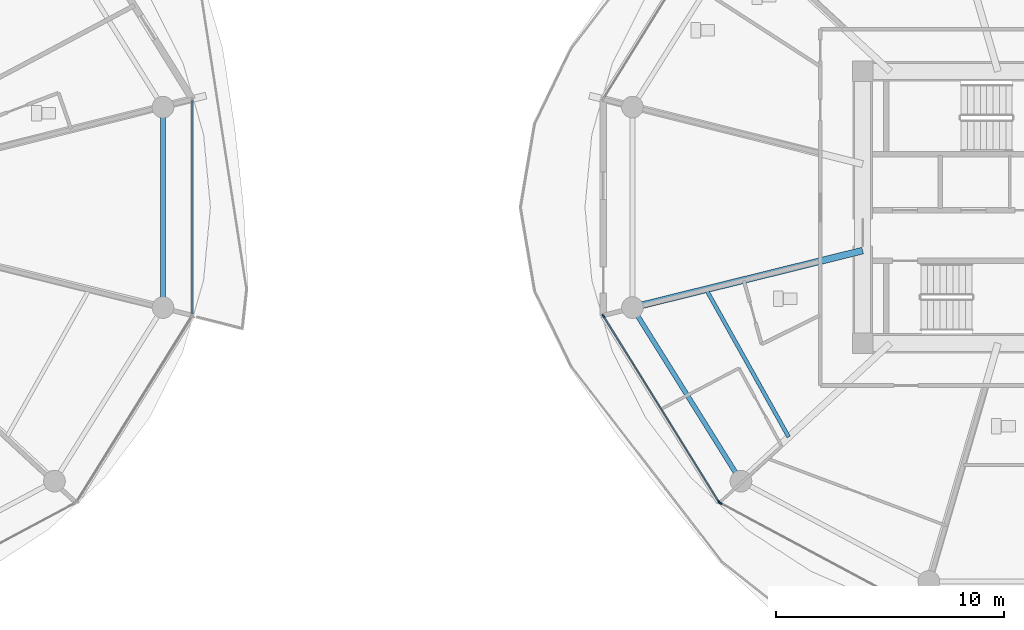
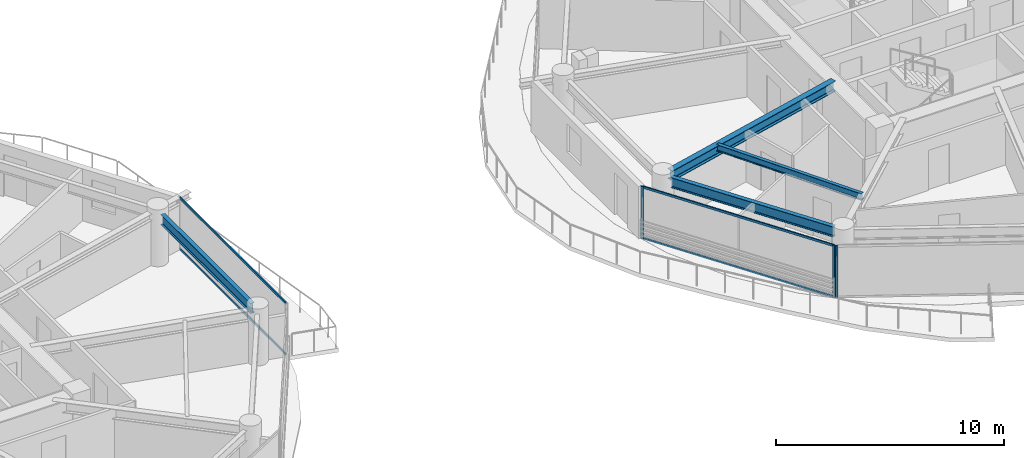
# One storey, part 6 of 26: 7 members, 4 beams, 3 elements without a shape of their own.
"""IFC4 building model written with IfcOpenShell, lengths in metres."""

from ifc_helpers import new_model, si_unit, direction, frame, origin, origin_2d, place, context, subcontext, project, spatial, rectangle, i_section, extrude, source, transform, mapped, material, layer, layer_set, material_profile, profile_set, type_object, type_shapes, element, aggregate, save


model = new_model("IFC4")

# Units and contexts
model_context = context("Model", 3, precision=1e-05, world=origin(), true_north=direction((0.0, 1.0)))
body_context = subcontext(model_context, "Body", "Model", "MODEL_VIEW")
ifc_project = project(units=[si_unit("LENGTHUNIT", "METRE"), si_unit("AREAUNIT", "SQUARE_METRE"), si_unit("VOLUMEUNIT", "CUBIC_METRE"), si_unit("PLANEANGLEUNIT", "RADIAN"), si_unit("MASSUNIT", "GRAM", prefix="KILO")], contexts=[model_context])

# Site, building, storey
site_placement = place(None, origin())
site = spatial("IfcSite", under=ifc_project, at=site_placement, CompositionType="ELEMENT")
building_placement = place(site_placement, origin())
building = spatial("IfcBuilding", under=site, at=building_placement, Name="Norrkilde Senior Care Towers", CompositionType="ELEMENT")
storey_placement = place(building_placement, frame((0.0, 0.0, 67.35009765625)))
storey = spatial("IfcBuildingStorey", under=building, at=storey_placement, Name="L20", CompositionType="ELEMENT", Elevation=67.35009765625)

# Beams
ifc_material_1 = material(Name="Steel S355", Category="steel")
ifc_material_profile_1 = material_profile(ifc_material_1, i_section(OverallWidth=0.2099609375, OverallDepth=0.550048828125, WebThickness=0.010986328125, FlangeThickness=0.01708984375, FilletRadius=0.02392578125, at=origin_2d()), Name="IPE 550")
ifc_profile_set_1 = profile_set([ifc_material_profile_1], Name="Steel S355")
beam_type_1 = type_object("IfcBeamType", Name="Perimeter Ring Spandrel Z1 IPE550", PredefinedType="SPANDREL", material=ifc_profile_set_1)
shared_shape_1 = source(origin(), body_context, "Body", "SweptSolid", [
    extrude(i_section(OverallWidth=0.2099609375, OverallDepth=0.550048828125, WebThickness=0.010986328125, FlangeThickness=0.01708984375, FilletRadius=0.02392578125, at=origin_2d()), origin(), (0.0, 0.0, 1.0), 8.090576171875),
])
beam_1_placement = place(storey_placement, frame((10.505859375, -4.755859375, 2.514892578125), z_axis=(0.530004364821, -0.84799491347, 0.0), x_axis=(0.84799491347, 0.530004364821, 0.0)))
element("IfcBeam", 1, at=beam_1_placement, inside=storey, type_object=beam_type_1, Name="L20 Drum E Perimeter Spandrel 07", PredefinedType="SPANDREL", context=body_context, shape_type="MappedRepresentation", body=[
    mapped(shared_shape_1, transform((0.0, 0.0, 0.0), x_axis=(1.0, 0.0, 0.0), y_axis=(0.0, 1.0, 0.0), z_axis=(0.0, 0.0, 1.0), scale=1.0)),
])
ifc_material_profile_2 = material_profile(ifc_material_1, i_section(OverallWidth=0.300048828125, OverallDepth=0.550048828125, WebThickness=0.014892578125, FlangeThickness=0.029052734375, FilletRadius=0.027099609375, at=origin_2d()), Name="HEB 550")
ifc_profile_set_2 = profile_set([ifc_material_profile_2], Name="Steel S355")
beam_type_2 = type_object("IfcBeamType", Name="Radial Floor Beam Z1 HEB550", PredefinedType="BEAM", material=ifc_profile_set_2)
shared_shape_2 = source(origin(), body_context, "Body", "SweptSolid", [
    extrude(i_section(OverallWidth=0.300048828125, OverallDepth=0.550048828125, WebThickness=0.014892578125, FlangeThickness=0.029052734375, FilletRadius=0.027099609375, at=origin_2d()), origin(), (0.0, 0.0, 1.0), 9.94384765625),
])
type_shapes(beam_type_2, [shared_shape_2])
beam_2_placement = place(storey_placement, frame((20.35009765625, -1.893310546875, 2.514892578125), z_axis=(-0.970707425182, -0.240264634718, 0.0), x_axis=(0.240264634718, -0.970707425182, 0.0)))
element("IfcBeam", 2, at=beam_2_placement, inside=storey, type_object=beam_type_2, Name="L20 Drum E Radial Floor Beam 07", PredefinedType="BEAM", context=body_context, shape_type="MappedRepresentation", body=[
    mapped(shared_shape_2, transform((0.0, 0.0, 0.0), x_axis=(1.0, 0.0, 0.0), y_axis=(0.0, 1.0, 0.0), z_axis=(0.0, 0.0, 1.0), scale=1.0)),
])
shared_shape_3 = source(origin(), body_context, "Body", "SweptSolid", [
    extrude(i_section(OverallWidth=0.2099609375, OverallDepth=0.550048828125, WebThickness=0.010986328125, FlangeThickness=0.01708984375, FilletRadius=0.02392578125, at=origin_2d()), origin(), (0.0, 0.0, 1.0), 7.90380859375),
])
type_shapes(beam_type_1, [shared_shape_1, shared_shape_3])
beam_3_placement = place(storey_placement, frame((-10.275146484375, -3.951904296875, 2.514892578125), z_axis=(0.0, 1.0, 0.0), x_axis=(-1.0, 0.0, 0.0)))
element("IfcBeam", 3, at=beam_3_placement, inside=storey, type_object=beam_type_1, Name="L20 Drum W Perimeter Spandrel 12", PredefinedType="SPANDREL", context=body_context, shape_type="MappedRepresentation", body=[
    mapped(shared_shape_3, transform((0.0, 0.0, 0.0), x_axis=(1.0, 0.0, 0.0), y_axis=(0.0, 1.0, 0.0), z_axis=(0.0, 0.0, 1.0), scale=1.0)),
])
ifc_material_profile_3 = material_profile(ifc_material_1, i_section(OverallWidth=0.169921875, OverallDepth=0.360107421875, WebThickness=0.008056640625, FlangeThickness=0.0126953125, FilletRadius=0.01806640625, at=origin_2d()), Name="IPE 360")
ifc_profile_set_3 = profile_set([ifc_material_profile_3], Name="Steel S355")
beam_type_3 = type_object("IfcBeamType", Name="Secondary Floor Joist IPE360", PredefinedType="JOIST", material=ifc_profile_set_3)
shared_shape_4 = source(origin(), body_context, "Body", "SweptSolid", [
    extrude(i_section(OverallWidth=0.169921875, OverallDepth=0.360107421875, WebThickness=0.008056640625, FlangeThickness=0.0126953125, FilletRadius=0.01806640625, at=origin_2d()), origin(), (0.0, 0.0, 1.0), 7.40771484375),
])
type_shapes(beam_type_3, [shared_shape_4])
beam_4_placement = place(storey_placement, frame((13.499267578125, -3.589111328125, 2.60986328125), z_axis=(0.488167754092, -0.872749817453, 0.0), x_axis=(0.872749817453, 0.488167754092, 0.0)))
element("IfcBeam", 4, at=beam_4_placement, inside=storey, type_object=beam_type_3, Name="L20 Drum E Secondary Floor Joist 3", PredefinedType="JOIST", context=body_context, shape_type="MappedRepresentation", body=[
    mapped(shared_shape_4, transform((0.0, 0.0, 0.0), x_axis=(1.0, 0.0, 0.0), y_axis=(0.0, 1.0, 0.0), z_axis=(0.0, 0.0, 1.0), scale=1.0)),
])

# Curtain wall, members
ifc_material_2 = material(Name="Triple Low-E Insulated Glazing", Category="glass")
ifc_layer = layer(ifc_material_2, 0.199951171875)
ifc_layer_set = layer_set([ifc_layer], Name="Triple Low-E Insulated Glazing")
curtain_wall_type = type_object("IfcCurtainWallType", Name="CW2 Zone 1 Memory Care Curtain Wall", PredefinedType="NOTDEFINED", material=ifc_layer_set)
curtain_wall_1_placement = place(storey_placement, origin())
curtain_wall_1 = element("IfcCurtainWall", 5, at=curtain_wall_1_placement, inside=storey, type_object=curtain_wall_type, Name="L20 Drum E Curtain Wall 06", PredefinedType="NOTDEFINED")
ifc_material_3 = material(Name="Anodised Aluminium", Category="aluminium")
ifc_material_profile_4 = material_profile(ifc_material_3, rectangle(XDim=0.06494140625, YDim=0.159912109375, at=origin_2d()), Name="ALU MULL 65x160")
ifc_profile_set_4 = profile_set([ifc_material_profile_4], Name="Anodised Aluminium")
member_type_1 = type_object("IfcMemberType", Name="Curtain Wall Mullion Z1-Z2 65x160", PredefinedType="MULLION", material=ifc_profile_set_4)
shared_shape_5 = source(origin(), body_context, "Body", "SweptSolid", [
    extrude(rectangle(XDim=0.06494140625, YDim=0.159912109375, at=origin_2d()), origin(), (0.0, 0.0, 1.0), 2.789794921875),
])
type_shapes(member_type_1, [shared_shape_5])
member_1_placement = place(storey_placement, frame((14.06689453125, -12.898193359375, 0.0), z_axis=(0.0, 0.0, 1.0), x_axis=(-0.849305943117, -0.527900951871, 0.0)))
member_1 = element("IfcMember", 6, at=member_1_placement, type_object=member_type_1, Name="CW-2 mullion 1", PredefinedType="MULLION", context=body_context, shape_type="MappedRepresentation", body=[
    mapped(shared_shape_5, transform((0.0, 0.0, 0.0), x_axis=(1.0, 0.0, 0.0), y_axis=(0.0, 1.0, 0.0), z_axis=(0.0, 0.0, 1.0), scale=1.0)),
])
member_2_placement = place(storey_placement, frame((9.0078125, -4.7587890625, 0.0), z_axis=(0.0, 0.0, 1.0), x_axis=(-0.849305943117, -0.527900951871, 0.0)))
member_2 = element("IfcMember", 7, at=member_2_placement, type_object=member_type_1, Name="CW-2 mullion 2", PredefinedType="MULLION", context=body_context, shape_type="MappedRepresentation", body=[
    mapped(shared_shape_5, transform((0.0, 0.0, 0.0), x_axis=(1.0, 0.0, 0.0), y_axis=(0.0, 1.0, 0.0), z_axis=(0.0, 0.0, 1.0), scale=1.0)),
])

# Curtain wall, member
curtain_wall_2_placement = place(storey_placement, origin())
curtain_wall_2 = element("IfcCurtainWall", 8, at=curtain_wall_2_placement, inside=storey, type_object=curtain_wall_type, Name="L20 Drum E Curtain Wall 07", PredefinedType="NOTDEFINED")
member_3_placement = place(storey_placement, frame((14.11279296875, -12.941162109375, 0.0), z_axis=(0.0, 0.0, 1.0), x_axis=(-0.472607802456, -0.881272866403, 0.0)))
member_3 = element("IfcMember", 9, at=member_3_placement, type_object=member_type_1, Name="CW-2 mullion 2", PredefinedType="MULLION", context=body_context, shape_type="MappedRepresentation", body=[
    mapped(shared_shape_5, transform((0.0, 0.0, 0.0), x_axis=(1.0, 0.0, 0.0), y_axis=(0.0, 1.0, 0.0), z_axis=(0.0, 0.0, 1.0), scale=1.0)),
])
aggregate(curtain_wall_2, [member_3])

# Member
ifc_material_profile_5 = material_profile(ifc_material_3, rectangle(XDim=0.06005859375, YDim=0.1201171875, at=origin_2d()), Name="ALU TRAN 60x120")
ifc_profile_set_5 = profile_set([ifc_material_profile_5], Name="Anodised Aluminium")
member_type_2 = type_object("IfcMemberType", Name="Curtain Wall Transom Typical 60x120", PredefinedType="USERDEFINED", material=ifc_profile_set_5)
shared_shape_6 = source(origin(), body_context, "Body", "SweptSolid", [
    extrude(rectangle(XDim=0.06005859375, YDim=0.1201171875, at=origin_2d()), origin(), (0.0, 0.0, 1.0), 9.5185546875),
])
member_4_placement = place(storey_placement, frame((14.0498046875, -12.87060546875, 0.02978515625), z_axis=(-0.527901620669, 0.849305527413, 0.0), x_axis=(-0.849305527413, -0.527901620669, 0.0)))
member_4 = element("IfcMember", 10, at=member_4_placement, type_object=member_type_2, Name="CW-2 transom 1.1", ObjectType="TRANSOM", PredefinedType="USERDEFINED", context=body_context, shape_type="MappedRepresentation", body=[
    mapped(shared_shape_6, transform((0.0, 0.0, 0.0), x_axis=(1.0, 0.0, 0.0), y_axis=(0.0, 1.0, 0.0), z_axis=(0.0, 0.0, 1.0), scale=1.0)),
])

member_5_placement = place(storey_placement, frame((14.0498046875, -12.87060546875, 2.760009765625), z_axis=(-0.527901620669, 0.849305527413, 0.0), x_axis=(-0.849305527413, -0.527901620669, 0.0)))
member_5 = element("IfcMember", 11, at=member_5_placement, type_object=member_type_2, Name="CW-2 transom 1.2", ObjectType="TRANSOM", PredefinedType="USERDEFINED", context=body_context, shape_type="MappedRepresentation", body=[
    mapped(shared_shape_6, transform((0.0, 0.0, 0.0), x_axis=(1.0, 0.0, 0.0), y_axis=(0.0, 1.0, 0.0), z_axis=(0.0, 0.0, 1.0), scale=1.0)),
])

aggregate(curtain_wall_1, [member_1, member_2, member_4, member_5])

# Curtain wall, members
curtain_wall_3_placement = place(storey_placement, origin())
curtain_wall_3 = element("IfcCurtainWall", 12, at=curtain_wall_3_placement, inside=storey, type_object=curtain_wall_type, Name="L20 Drum W Curtain Wall 11", PredefinedType="NOTDEFINED")
shared_shape_7 = source(origin(), body_context, "Body", "SweptSolid", [
    extrude(rectangle(XDim=0.06005859375, YDim=0.1201171875, at=origin_2d()), origin(), (0.0, 0.0, 1.0), 9.33251953125),
])
type_shapes(member_type_2, [shared_shape_6, shared_shape_7])
member_6_placement = place(storey_placement, frame((-8.990478515625, 4.666259765625, 0.02978515625), z_axis=(0.0, -1.0, 0.0), x_axis=(1.0, 0.0, 0.0)))
member_6 = element("IfcMember", 13, at=member_6_placement, type_object=member_type_2, Name="CW-2 transom 1.1", ObjectType="TRANSOM", PredefinedType="USERDEFINED", context=body_context, shape_type="MappedRepresentation", body=[
    mapped(shared_shape_7, transform((0.0, 0.0, 0.0), x_axis=(1.0, 0.0, 0.0), y_axis=(0.0, 1.0, 0.0), z_axis=(0.0, 0.0, 1.0), scale=1.0)),
])
member_7_placement = place(storey_placement, frame((-8.990478515625, 4.666259765625, 2.760009765625), z_axis=(0.0, -1.0, 0.0), x_axis=(1.0, 0.0, 0.0)))
member_7 = element("IfcMember", 14, at=member_7_placement, type_object=member_type_2, Name="CW-2 transom 1.2", ObjectType="TRANSOM", PredefinedType="USERDEFINED", context=body_context, shape_type="MappedRepresentation", body=[
    mapped(shared_shape_7, transform((0.0, 0.0, 0.0), x_axis=(1.0, 0.0, 0.0), y_axis=(0.0, 1.0, 0.0), z_axis=(0.0, 0.0, 1.0), scale=1.0)),
])
aggregate(curtain_wall_3, [member_6, member_7])

save(model, "model.ifc")
